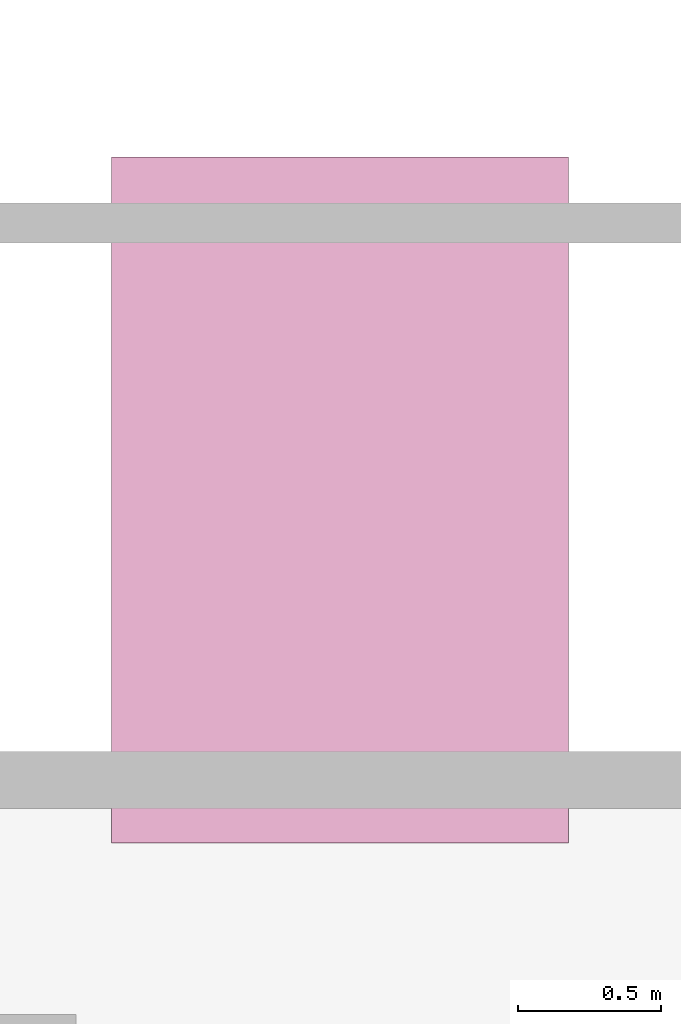
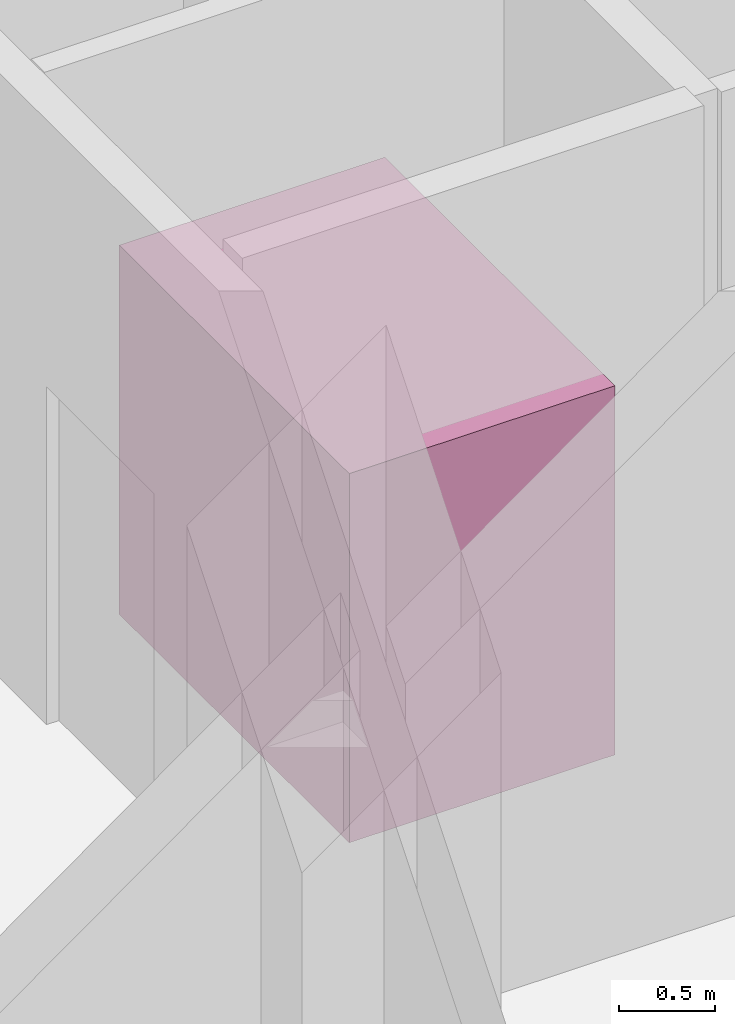
# One storey, part 11 of 11: 1 transport element.
"""IFC4 building model written with IfcOpenShell, lengths in metres."""

from ifc_helpers import new_model, si_unit, direction, frame, origin, origin_with_axes, origin_2d, place, context, subcontext, project, spatial, rectangle, extrude, source, transform, mapped, material, type_object, element, save


model = new_model("IFC4")

# Units and contexts
model_context = context("Model", 3, precision=1e-05, world=origin(), true_north=direction((0.0, 1.0)))
body_context = subcontext(model_context, "Body", "Model", "MODEL_VIEW")
ifc_project = project(units=[si_unit("LENGTHUNIT", "METRE"), si_unit("AREAUNIT", "SQUARE_METRE"), si_unit("VOLUMEUNIT", "CUBIC_METRE"), si_unit("PLANEANGLEUNIT", "RADIAN"), si_unit("MASSUNIT", "GRAM", prefix="KILO")], contexts=[model_context])

# Site, building, storey
site_placement = place(None, origin())
site = spatial("IfcSite", under=ifc_project, at=site_placement, CompositionType="ELEMENT")
building_placement = place(site_placement, origin())
building = spatial("IfcBuilding", under=site, at=building_placement, Name="Karkom Vertical University and Central Library", CompositionType="ELEMENT")
storey_placement = place(building_placement, frame((0.0, 0.0, -4.199951171875)))
storey = spatial("IfcBuildingStorey", under=building, at=storey_placement, Name="B01", CompositionType="ELEMENT", Elevation=-4.199951171875)

# Transport element
ifc_material = material(Name="Stainless-steel cab & traction gear", Category="steel")
transport_element_type = type_object("IfcTransportElementType", Name="INT-LFT-FFL2000", PredefinedType="ELEVATOR", material=ifc_material)
shared_shape = source(origin_with_axes(), body_context, "Body", "SweptSolid", [
    extrude(rectangle(XDim=1.60009765625, YDim=2.39990234375, at=origin_2d()), origin(), (0.0, 0.0, 1.0), 2.35009765625),
])
transport_element_placement = place(storey_placement, frame((25.074951171875, 31.39990234375, 0.0), z_axis=(0.0, 0.0, 1.0), x_axis=(1.0, 0.0, 0.0)))
element("IfcTransportElement", 1, at=transport_element_placement, inside=storey, type_object=transport_element_type, Name="Firefighting Lift FFL-1", PredefinedType="ELEVATOR", context=body_context, shape_type="MappedRepresentation", body=[
    mapped(shared_shape, transform((0.0, 0.0, 0.0), scale=1.0)),
])

save(model, "model.ifc")
